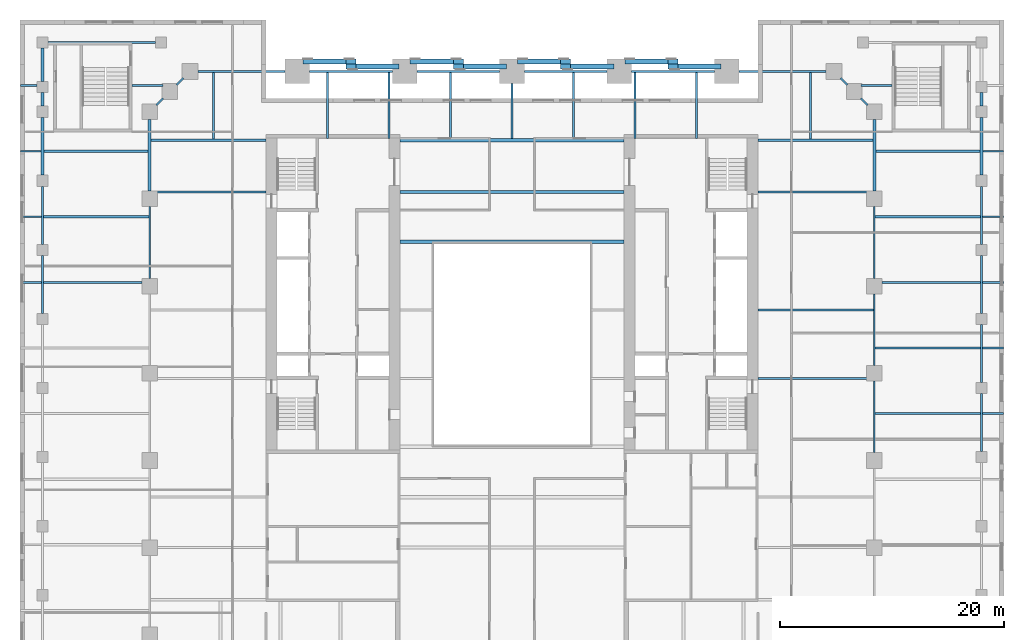
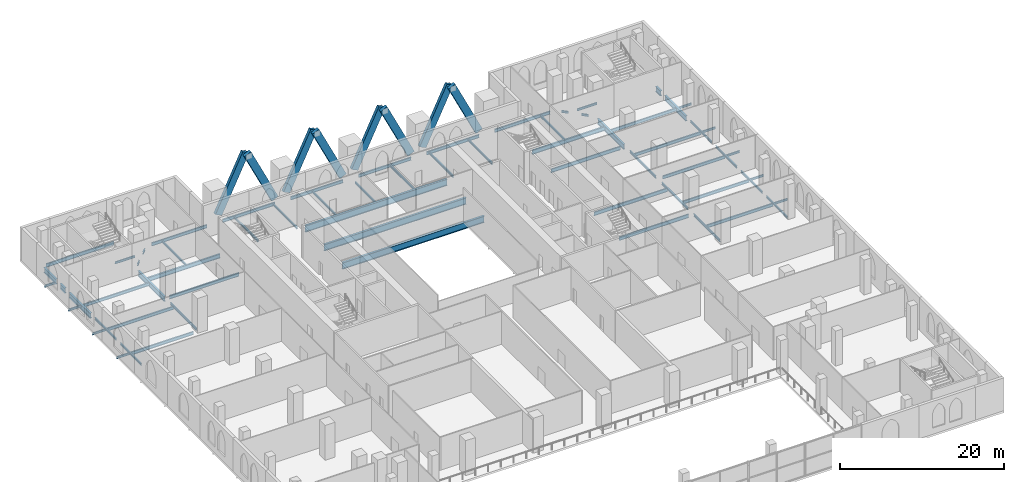
# One storey, part 6 of 22: 65 beams, 8 members.
"""IFC4 building model written with IfcOpenShell, lengths in metres."""

from ifc_helpers import new_model, si_unit, direction, frame, origin, origin_2d, place, context, subcontext, project, spatial, rectangle, i_section, extrude, material, material_profile, profile_set, type_object, element, save


model = new_model("IFC4")

# Units and contexts
model_context = context("Model", 3, precision=1e-05, world=origin(), true_north=direction((0.0, 1.0)))
body_context = subcontext(model_context, "Body", "Model", "MODEL_VIEW")
ifc_project = project(units=[si_unit("LENGTHUNIT", "METRE"), si_unit("AREAUNIT", "SQUARE_METRE"), si_unit("VOLUMEUNIT", "CUBIC_METRE"), si_unit("PLANEANGLEUNIT", "RADIAN"), si_unit("MASSUNIT", "GRAM", prefix="KILO")], contexts=[model_context])

# Site, building, storey
site_placement = place(None, origin())
site = spatial("IfcSite", under=ifc_project, at=site_placement, CompositionType="ELEMENT")
building_placement = place(site_placement, origin())
building = spatial("IfcBuilding", under=site, at=building_placement, Name="Ogive Exchange Tower", CompositionType="ELEMENT")
storey_placement = place(building_placement, frame((0.0, 0.0, 14.0)))
storey = spatial("IfcBuildingStorey", under=building, at=storey_placement, Name="L02", CompositionType="ELEMENT", Elevation=14.0)

# Beams
ifc_material_1 = material(Name="Steel ASTM A992 Gr50", Category="steel")
ifc_material_profile_1 = material_profile(ifc_material_1, i_section(OverallWidth=0.300048828125, OverallDepth=0.969970703125, WebThickness=0.01611328125, FlangeThickness=0.02099609375, at=origin_2d()), Name="W1000x222")
ifc_profile_set_1 = profile_set([ifc_material_profile_1], Name="Steel ASTM A992 Gr50")
beam_type_1 = type_object("IfcBeamType", Name="Floor beam W1000x222", PredefinedType="JOIST", material=ifc_profile_set_1)
beam_1_placement = place(storey_placement, frame((-10.0, 20.62255859375, -0.784912109375), z_axis=(1.0, 0.0, 0.0), x_axis=(0.0, 1.0, 0.0)))
element("IfcBeam", 1, at=beam_1_placement, inside=storey, type_object=beam_type_1, Name="Floor beam", PredefinedType="JOIST", context=body_context, shape_type="SweptSolid", body=[
    extrude(i_section(OverallWidth=0.300048828125, OverallDepth=0.969970703125, WebThickness=0.01611328125, FlangeThickness=0.02099609375, at=origin_2d()), origin(), (0.0, 0.0, 1.0), 20.0),
])
ifc_material_profile_2 = material_profile(ifc_material_1, i_section(OverallWidth=0.1650390625, OverallDepth=0.31005859375, WebThickness=0.005859375, FlangeThickness=0.009765625, at=origin_2d()), Name="W310x38.7")
ifc_profile_set_2 = profile_set([ifc_material_profile_2], Name="Steel ASTM A992 Gr50")
beam_type_2 = type_object("IfcBeamType", Name="Floor beam W310x38.7", PredefinedType="JOIST", material=ifc_profile_set_2)
for number, where, z_axis, x_axis, name in (
    (2, (-16.5, 25.39990234375, -0.455078125), (0.0, 1.0, 0.0), (-1.0, 0.0, 0.0), "Floor beam"),
    (3, (-11.0, 25.39990234375, -0.455078125), (0.0, 1.0, 0.0), (-1.0, 0.0, 0.0), "Floor beam"),
):
    element("IfcBeam", number, at=place(storey_placement, frame(where, z_axis=z_axis, x_axis=x_axis)), inside=storey, type_object=beam_type_2, Name=name, PredefinedType="JOIST", context=body_context, shape_type="SweptSolid", body=[
        extrude(i_section(OverallWidth=0.1650390625, OverallDepth=0.31005859375, WebThickness=0.005859375, FlangeThickness=0.009765625, at=origin_2d()), origin(), (0.0, 0.0, 1.0), 5.904541015625),
    ])
beam_2_placement = place(storey_placement, frame((-5.5, 25.39501953125, -0.455078125), z_axis=(0.0, 1.0, 0.0), x_axis=(-1.0, 0.0, 0.0)))
element("IfcBeam", 4, at=beam_2_placement, inside=storey, type_object=beam_type_2, Name="Floor beam", PredefinedType="JOIST", context=body_context, shape_type="SweptSolid", body=[
    extrude(i_section(OverallWidth=0.1650390625, OverallDepth=0.31005859375, WebThickness=0.005859375, FlangeThickness=0.009765625, at=origin_2d()), origin(), (0.0, 0.0, 1.0), 5.909423828125),
])
beam_3_placement = place(storey_placement, frame((0.0, 25.39501953125, -0.455078125), z_axis=(0.0, 1.0, 0.0), x_axis=(-1.0, 0.0, 0.0)))
element("IfcBeam", 5, at=beam_3_placement, inside=storey, type_object=beam_type_2, Name="Floor beam", PredefinedType="JOIST", context=body_context, shape_type="SweptSolid", body=[
    extrude(i_section(OverallWidth=0.1650390625, OverallDepth=0.31005859375, WebThickness=0.005859375, FlangeThickness=0.009765625, at=origin_2d()), origin(), (0.0, 0.0, 1.0), 4.905029296875),
])
beam_4_placement = place(storey_placement, frame((5.5, 25.39501953125, -0.455078125), z_axis=(0.0, 1.0, 0.0), x_axis=(-1.0, 0.0, 0.0)))
element("IfcBeam", 6, at=beam_4_placement, inside=storey, type_object=beam_type_2, Name="Floor beam", PredefinedType="JOIST", context=body_context, shape_type="SweptSolid", body=[
    extrude(i_section(OverallWidth=0.1650390625, OverallDepth=0.31005859375, WebThickness=0.005859375, FlangeThickness=0.009765625, at=origin_2d()), origin(), (0.0, 0.0, 1.0), 5.909423828125),
])
for number, where, z_axis, x_axis, name in (
    (7, (11.0, 25.39990234375, -0.455078125), (0.0, 1.0, 0.0), (-1.0, 0.0, 0.0), "Floor beam"),
    (8, (16.5, 25.39990234375, -0.455078125), (0.0, 1.0, 0.0), (-1.0, 0.0, 0.0), "Floor beam"),
):
    element("IfcBeam", number, at=place(storey_placement, frame(where, z_axis=z_axis, x_axis=x_axis)), inside=storey, type_object=beam_type_2, Name=name, PredefinedType="JOIST", context=body_context, shape_type="SweptSolid", body=[
        extrude(i_section(OverallWidth=0.1650390625, OverallDepth=0.31005859375, WebThickness=0.005859375, FlangeThickness=0.009765625, at=origin_2d()), origin(), (0.0, 0.0, 1.0), 5.904541015625),
    ])
for number, where, z_axis, x_axis, name in (
    (9, (26.699951171875, 25.35888671875, -0.455078125), (0.0, 1.0, 0.0), (-1.0, 0.0, 0.0), "Floor beam"),
    (10, (-26.699951171875, 25.35888671875, -0.455078125), (0.0, 1.0, 0.0), (-1.0, 0.0, 0.0), "Floor beam"),
):
    element("IfcBeam", number, at=place(storey_placement, frame(where, z_axis=z_axis, x_axis=x_axis)), inside=storey, type_object=beam_type_2, Name=name, PredefinedType="JOIST", context=body_context, shape_type="SweptSolid", body=[
        extrude(i_section(OverallWidth=0.1650390625, OverallDepth=0.31005859375, WebThickness=0.005859375, FlangeThickness=0.009765625, at=origin_2d()), origin(), (0.0, 0.0, 1.0), 5.945556640625),
    ])
for number, where, z_axis, x_axis, name in (
    (11, (42.08251953125, 0.800048828125, -0.455078125), (1.0, 0.0, 0.0), (0.0, 1.0, 0.0), "Floor beam"),
    (12, (42.08251953125, 6.666748046875, -0.455078125), (1.0, 0.0, 0.0), (0.0, 1.0, 0.0), "Floor beam"),
    (13, (42.08251953125, 12.533203125, -0.455078125), (1.0, 0.0, 0.0), (0.0, 1.0, 0.0), "Floor beam"),
    (14, (42.08251953125, 18.39990234375, -0.455078125), (1.0, 0.0, 0.0), (0.0, 1.0, 0.0), "Floor beam"),
):
    element("IfcBeam", number, at=place(storey_placement, frame(where, z_axis=z_axis, x_axis=x_axis)), inside=storey, type_object=beam_type_2, Name=name, PredefinedType="JOIST", context=body_context, shape_type="SweptSolid", body=[
        extrude(i_section(OverallWidth=0.1650390625, OverallDepth=0.31005859375, WebThickness=0.005859375, FlangeThickness=0.009765625, at=origin_2d()), origin(), (0.0, 0.0, 1.0), 1.867431640625),
    ])
beam_5_placement = place(storey_placement, frame((42.133544921875, 24.2666015625, -0.455078125), z_axis=(1.0, 0.0, 0.0), x_axis=(0.0, 1.0, 0.0)))
element("IfcBeam", 15, at=beam_5_placement, inside=storey, type_object=beam_type_2, Name="Floor beam", PredefinedType="JOIST", context=body_context, shape_type="SweptSolid", body=[
    extrude(i_section(OverallWidth=0.1650390625, OverallDepth=0.31005859375, WebThickness=0.005859375, FlangeThickness=0.009765625, at=origin_2d()), origin(), (0.0, 0.0, 1.0), 1.81640625),
])
beam_6_placement = place(storey_placement, frame((31.199951171875, 30.13330078125, -0.455078125), z_axis=(1.0, 0.0, 0.0), x_axis=(0.0, 1.0, 0.0)))
element("IfcBeam", 16, at=beam_6_placement, inside=storey, type_object=beam_type_2, Name="Floor beam", PredefinedType="JOIST", context=body_context, shape_type="SweptSolid", body=[
    extrude(i_section(OverallWidth=0.1650390625, OverallDepth=0.31005859375, WebThickness=0.005859375, FlangeThickness=0.009765625, at=origin_2d()), origin(), (0.0, 0.0, 1.0), 2.800048828125),
])
for number, where, z_axis, x_axis, name in (
    (17, (-43.949951171875, 12.533203125, -0.455078125), (1.0, 0.0, 0.0), (0.0, 1.0, 0.0), "Floor beam"),
    (18, (-43.949951171875, 18.39990234375, -0.455078125), (1.0, 0.0, 0.0), (0.0, 1.0, 0.0), "Floor beam"),
):
    element("IfcBeam", number, at=place(storey_placement, frame(where, z_axis=z_axis, x_axis=x_axis)), inside=storey, type_object=beam_type_2, Name=name, PredefinedType="JOIST", context=body_context, shape_type="SweptSolid", body=[
        extrude(i_section(OverallWidth=0.1650390625, OverallDepth=0.31005859375, WebThickness=0.005859375, FlangeThickness=0.009765625, at=origin_2d()), origin(), (0.0, 0.0, 1.0), 1.867431640625),
    ])
beam_7_placement = place(storey_placement, frame((-43.949951171875, 24.2666015625, -0.455078125), z_axis=(1.0, 0.0, 0.0), x_axis=(0.0, 1.0, 0.0)))
element("IfcBeam", 19, at=beam_7_placement, inside=storey, type_object=beam_type_2, Name="Floor beam", PredefinedType="JOIST", context=body_context, shape_type="SweptSolid", body=[
    extrude(i_section(OverallWidth=0.1650390625, OverallDepth=0.31005859375, WebThickness=0.005859375, FlangeThickness=0.009765625, at=origin_2d()), origin(), (0.0, 0.0, 1.0), 1.81640625),
])
beam_8_placement = place(storey_placement, frame((-43.949951171875, 30.13330078125, -0.455078125), z_axis=(1.0, 0.0, 0.0), x_axis=(0.0, 1.0, 0.0)))
element("IfcBeam", 20, at=beam_8_placement, inside=storey, type_object=beam_type_2, Name="Floor beam", PredefinedType="JOIST", context=body_context, shape_type="SweptSolid", body=[
    extrude(i_section(OverallWidth=0.1650390625, OverallDepth=0.31005859375, WebThickness=0.005859375, FlangeThickness=0.009765625, at=origin_2d()), origin(), (0.0, 0.0, 1.0), 1.449951171875),
])
beam_9_placement = place(storey_placement, frame((-34.0, 30.13330078125, -0.455078125), z_axis=(1.0, 0.0, 0.0), x_axis=(0.0, 1.0, 0.0)))
element("IfcBeam", 21, at=beam_9_placement, inside=storey, type_object=beam_type_2, Name="Floor beam", PredefinedType="JOIST", context=body_context, shape_type="SweptSolid", body=[
    extrude(i_section(OverallWidth=0.1650390625, OverallDepth=0.31005859375, WebThickness=0.005859375, FlangeThickness=0.009765625, at=origin_2d()), origin(), (0.0, 0.0, 1.0), 2.800048828125),
])
ifc_material_profile_3 = material_profile(ifc_material_1, i_section(OverallWidth=0.19091796875, OverallDepth=0.45703125, WebThickness=0.009033203125, FlangeThickness=0.014404296875, at=origin_2d()), Name="W460x74")
ifc_profile_set_3 = profile_set([ifc_material_profile_3], Name="Steel ASTM A992 Gr50")
beam_type_3 = type_object("IfcBeamType", Name="Floor beam W460x74", PredefinedType="JOIST", material=ifc_profile_set_3)
for number, where, z_axis, x_axis, name in (
    (22, (32.485595703125, 0.800048828125, -0.528564453125), (1.0, 0.0, 0.0), (0.0, 1.0, 0.0), "Floor beam"),
    (23, (32.485595703125, 6.666748046875, -0.528564453125), (1.0, 0.0, 0.0), (0.0, 1.0, 0.0), "Floor beam"),
):
    element("IfcBeam", number, at=place(storey_placement, frame(where, z_axis=z_axis, x_axis=x_axis)), inside=storey, type_object=beam_type_3, Name=name, PredefinedType="JOIST", context=body_context, shape_type="SweptSolid", body=[
        extrude(i_section(OverallWidth=0.19091796875, OverallDepth=0.45703125, WebThickness=0.009033203125, FlangeThickness=0.014404296875, at=origin_2d()), origin(), (0.0, 0.0, 1.0), 9.431884765625),
    ])
beam_10_placement = place(storey_placement, frame((33.10009765625, 12.533203125, -0.528564453125), z_axis=(1.0, 0.0, 0.0), x_axis=(0.0, 1.0, 0.0)))
element("IfcBeam", 24, at=beam_10_placement, inside=storey, type_object=beam_type_3, Name="Floor beam", PredefinedType="JOIST", context=body_context, shape_type="SweptSolid", body=[
    extrude(i_section(OverallWidth=0.19091796875, OverallDepth=0.45703125, WebThickness=0.009033203125, FlangeThickness=0.014404296875, at=origin_2d()), origin(), (0.0, 0.0, 1.0), 8.8173828125),
])
beam_11_placement = place(storey_placement, frame((32.485595703125, 18.39990234375, -0.528564453125), z_axis=(1.0, 0.0, 0.0), x_axis=(0.0, 1.0, 0.0)))
element("IfcBeam", 25, at=beam_11_placement, inside=storey, type_object=beam_type_3, Name="Floor beam", PredefinedType="JOIST", context=body_context, shape_type="SweptSolid", body=[
    extrude(i_section(OverallWidth=0.19091796875, OverallDepth=0.45703125, WebThickness=0.009033203125, FlangeThickness=0.014404296875, at=origin_2d()), origin(), (0.0, 0.0, 1.0), 9.431884765625),
])
beam_12_placement = place(storey_placement, frame((32.533447265625, 24.2666015625, -0.528564453125), z_axis=(1.0, 0.0, 0.0), x_axis=(0.0, 1.0, 0.0)))
element("IfcBeam", 26, at=beam_12_placement, inside=storey, type_object=beam_type_3, Name="Floor beam", PredefinedType="JOIST", context=body_context, shape_type="SweptSolid", body=[
    extrude(i_section(OverallWidth=0.19091796875, OverallDepth=0.45703125, WebThickness=0.009033203125, FlangeThickness=0.014404296875, at=origin_2d()), origin(), (0.0, 0.0, 1.0), 9.3330078125),
])
beam_13_placement = place(storey_placement, frame((-41.91748046875, 12.533203125, -0.528564453125), z_axis=(1.0, 0.0, 0.0), x_axis=(0.0, 1.0, 0.0)))
element("IfcBeam", 27, at=beam_13_placement, inside=storey, type_object=beam_type_3, Name="Floor beam", PredefinedType="JOIST", context=body_context, shape_type="SweptSolid", body=[
    extrude(i_section(OverallWidth=0.19091796875, OverallDepth=0.45703125, WebThickness=0.009033203125, FlangeThickness=0.014404296875, at=origin_2d()), origin(), (0.0, 0.0, 1.0), 8.8173828125),
])
beam_14_placement = place(storey_placement, frame((-41.91748046875, 18.39990234375, -0.528564453125), z_axis=(1.0, 0.0, 0.0), x_axis=(0.0, 1.0, 0.0)))
element("IfcBeam", 28, at=beam_14_placement, inside=storey, type_object=beam_type_3, Name="Floor beam", PredefinedType="JOIST", context=body_context, shape_type="SweptSolid", body=[
    extrude(i_section(OverallWidth=0.19091796875, OverallDepth=0.45703125, WebThickness=0.009033203125, FlangeThickness=0.014404296875, at=origin_2d()), origin(), (0.0, 0.0, 1.0), 9.431884765625),
])
beam_15_placement = place(storey_placement, frame((-41.866455078125, 24.2666015625, -0.528564453125), z_axis=(1.0, 0.0, 0.0), x_axis=(0.0, 1.0, 0.0)))
element("IfcBeam", 29, at=beam_15_placement, inside=storey, type_object=beam_type_3, Name="Floor beam", PredefinedType="JOIST", context=body_context, shape_type="SweptSolid", body=[
    extrude(i_section(OverallWidth=0.19091796875, OverallDepth=0.45703125, WebThickness=0.009033203125, FlangeThickness=0.014404296875, at=origin_2d()), origin(), (0.0, 0.0, 1.0), 9.3330078125),
])
ifc_material_profile_4 = material_profile(ifc_material_1, i_section(OverallWidth=0.1669921875, OverallDepth=0.535888671875, WebThickness=0.01025390625, FlangeThickness=0.0166015625, at=origin_2d()), Name="W530x85")
ifc_profile_set_4 = profile_set([ifc_material_profile_4], Name="Steel ASTM A992 Gr50")
beam_type_4 = type_object("IfcBeamType", Name="Floor beam W530x85", PredefinedType="JOIST", material=ifc_profile_set_4)
beam_16_placement = place(storey_placement, frame((22.0, 3.9482421875, -0.568115234375), z_axis=(1.0, 0.0, 0.0), x_axis=(0.0, 1.0, 0.0)))
element("IfcBeam", 30, at=beam_16_placement, inside=storey, type_object=beam_type_4, Name="Floor beam", PredefinedType="JOIST", context=body_context, shape_type="SweptSolid", body=[
    extrude(i_section(OverallWidth=0.1669921875, OverallDepth=0.535888671875, WebThickness=0.01025390625, FlangeThickness=0.0166015625, at=origin_2d()), origin(), (0.0, 0.0, 1.0), 9.800048828125),
])
beam_17_placement = place(storey_placement, frame((22.0, 10.0517578125, -0.568115234375), z_axis=(1.0, 0.0, 0.0), x_axis=(0.0, 1.0, 0.0)))
element("IfcBeam", 31, at=beam_17_placement, inside=storey, type_object=beam_type_4, Name="Floor beam", PredefinedType="JOIST", context=body_context, shape_type="SweptSolid", body=[
    extrude(i_section(OverallWidth=0.1669921875, OverallDepth=0.535888671875, WebThickness=0.01025390625, FlangeThickness=0.0166015625, at=origin_2d()), origin(), (0.0, 0.0, 1.0), 10.344970703125),
])
for number, where, z_axis, x_axis, name in (
    (32, (-31.800048828125, 20.62255859375, -0.568115234375), (1.0, 0.0, 0.0), (0.0, 1.0, 0.0), "Floor beam"),
    (33, (22.0, 20.62255859375, -0.568115234375), (1.0, 0.0, 0.0), (0.0, 1.0, 0.0), "Floor beam"),
):
    element("IfcBeam", number, at=place(storey_placement, frame(where, z_axis=z_axis, x_axis=x_axis)), inside=storey, type_object=beam_type_4, Name=name, PredefinedType="JOIST", context=body_context, shape_type="SweptSolid", body=[
        extrude(i_section(OverallWidth=0.1669921875, OverallDepth=0.535888671875, WebThickness=0.01025390625, FlangeThickness=0.0166015625, at=origin_2d()), origin(), (0.0, 0.0, 1.0), 9.800048828125),
    ])
ifc_material_profile_5 = material_profile(ifc_material_1, i_section(OverallWidth=0.300048828125, OverallDepth=0.97998046875, WebThickness=0.0166015625, FlangeThickness=0.026123046875, at=origin_2d()), Name="W1000x249")
ifc_profile_set_5 = profile_set([ifc_material_profile_5], Name="Steel ASTM A992 Gr50")
beam_type_5 = type_object("IfcBeamType", Name="Girder W1000x249", PredefinedType="BEAM", material=ifc_profile_set_5)
for number, where, z_axis, x_axis, name in (
    (34, (-10.0, 25.2451171875, -0.7900390625), (1.0, 0.0, 0.0), (0.0, 1.0, 0.0), "Header girder"),
    (35, (-10.0, 16.155029296875, -0.7900390625), (1.0, 0.0, 0.0), (0.0, 1.0, 0.0), "Trimmer girder"),
):
    element("IfcBeam", number, at=place(storey_placement, frame(where, z_axis=z_axis, x_axis=x_axis)), inside=storey, type_object=beam_type_5, Name=name, PredefinedType="BEAM", context=body_context, shape_type="SweptSolid", body=[
        extrude(i_section(OverallWidth=0.300048828125, OverallDepth=0.97998046875, WebThickness=0.0166015625, FlangeThickness=0.026123046875, at=origin_2d()), origin(), (0.0, 0.0, 1.0), 20.0),
    ])
ifc_material_profile_6 = material_profile(ifc_material_1, i_section(OverallWidth=0.1650390625, OverallDepth=0.31005859375, WebThickness=0.005859375, FlangeThickness=0.009765625, at=origin_2d()), Name="W310x38.7")
ifc_profile_set_6 = profile_set([ifc_material_profile_6], Name="Steel ASTM A992 Gr50")
beam_type_6 = type_object("IfcBeamType", Name="Girder W310x38.7", PredefinedType="BEAM", material=ifc_profile_set_6)
for number, where, z_axis, x_axis, name in (
    (36, (31.805908203125, 28.39404296875, -0.455078125), (-0.706965712506, 0.707247821729, 0.0), (-0.707247821729, -0.706965712506, 0.0), "Girder"),
    (37, (30.006103515625, 30.194091796875, -0.455078125), (-0.707247821729, 0.706965712506, 0.0), (-0.706965712506, -0.707247821729, 0.0), "Girder"),
    (38, (-29.39404296875, 30.805908203125, -0.455078125), (-0.707247821729, -0.706965712506, 0.0), (0.706965712506, -0.707247821729, 0.0), "Girder"),
    (39, (-31.194091796875, 29.006103515625, -0.455078125), (-0.706965712506, -0.707247821729, 0.0), (0.707247821729, -0.706965712506, 0.0), "Girder"),
):
    element("IfcBeam", number, at=place(storey_placement, frame(where, z_axis=z_axis, x_axis=x_axis)), inside=storey, type_object=beam_type_6, Name=name, PredefinedType="BEAM", context=body_context, shape_type="SweptSolid", body=[
        extrude(i_section(OverallWidth=0.1650390625, OverallDepth=0.31005859375, WebThickness=0.005859375, FlangeThickness=0.009765625, at=origin_2d()), origin(), (0.0, 0.0, 1.0), 0.865478515625),
    ])
beam_18_placement = place(storey_placement, frame((42.0, -2.590087890625, -0.455078125), z_axis=(0.0, 1.0, 0.0), x_axis=(-1.0, 0.0, 0.0)))
element("IfcBeam", 40, at=beam_18_placement, inside=storey, type_object=beam_type_6, Name="Girder", PredefinedType="BEAM", context=body_context, shape_type="SweptSolid", body=[
    extrude(i_section(OverallWidth=0.1650390625, OverallDepth=0.31005859375, WebThickness=0.005859375, FlangeThickness=0.009765625, at=origin_2d()), origin(), (0.0, 0.0, 1.0), 5.18017578125),
])
beam_19_placement = place(storey_placement, frame((42.0, 3.590087890625, -0.455078125), z_axis=(0.0, 1.0, 0.0), x_axis=(-1.0, 0.0, 0.0)))
element("IfcBeam", 41, at=beam_19_placement, inside=storey, type_object=beam_type_6, Name="Girder", PredefinedType="BEAM", context=body_context, shape_type="SweptSolid", body=[
    extrude(i_section(OverallWidth=0.1650390625, OverallDepth=0.31005859375, WebThickness=0.005859375, FlangeThickness=0.009765625, at=origin_2d()), origin(), (0.0, 0.0, 1.0), 5.179931640625),
])
beam_20_placement = place(storey_placement, frame((42.0, 9.77001953125, -0.455078125), z_axis=(0.0, 1.0, 0.0), x_axis=(-1.0, 0.0, 0.0)))
element("IfcBeam", 42, at=beam_20_placement, inside=storey, type_object=beam_type_6, Name="Girder", PredefinedType="BEAM", context=body_context, shape_type="SweptSolid", body=[
    extrude(i_section(OverallWidth=0.1650390625, OverallDepth=0.31005859375, WebThickness=0.005859375, FlangeThickness=0.009765625, at=origin_2d()), origin(), (0.0, 0.0, 1.0), 5.169921875),
])
beam_21_placement = place(storey_placement, frame((42.0, 15.93994140625, -0.455078125), z_axis=(0.0, 1.0, 0.0), x_axis=(-1.0, 0.0, 0.0)))
element("IfcBeam", 43, at=beam_21_placement, inside=storey, type_object=beam_type_6, Name="Girder", PredefinedType="BEAM", context=body_context, shape_type="SweptSolid", body=[
    extrude(i_section(OverallWidth=0.1650390625, OverallDepth=0.31005859375, WebThickness=0.005859375, FlangeThickness=0.009765625, at=origin_2d()), origin(), (0.0, 0.0, 1.0), 5.18017578125),
])
beam_22_placement = place(storey_placement, frame((-42.0, 9.77001953125, -0.455078125), z_axis=(0.0, 1.0, 0.0), x_axis=(-1.0, 0.0, 0.0)))
element("IfcBeam", 44, at=beam_22_placement, inside=storey, type_object=beam_type_6, Name="Girder", PredefinedType="BEAM", context=body_context, shape_type="SweptSolid", body=[
    extrude(i_section(OverallWidth=0.1650390625, OverallDepth=0.31005859375, WebThickness=0.005859375, FlangeThickness=0.009765625, at=origin_2d()), origin(), (0.0, 0.0, 1.0), 5.169921875),
])
beam_23_placement = place(storey_placement, frame((-42.0, 15.93994140625, -0.455078125), z_axis=(0.0, 1.0, 0.0), x_axis=(-1.0, 0.0, 0.0)))
element("IfcBeam", 45, at=beam_23_placement, inside=storey, type_object=beam_type_6, Name="Girder", PredefinedType="BEAM", context=body_context, shape_type="SweptSolid", body=[
    extrude(i_section(OverallWidth=0.1650390625, OverallDepth=0.31005859375, WebThickness=0.005859375, FlangeThickness=0.009765625, at=origin_2d()), origin(), (0.0, 0.0, 1.0), 5.18017578125),
])
ifc_material_profile_7 = material_profile(ifc_material_1, i_section(OverallWidth=0.1708984375, OverallDepth=0.35595703125, WebThickness=0.00732421875, FlangeThickness=0.01171875, at=origin_2d()), Name="W360x51")
ifc_profile_set_7 = profile_set([ifc_material_profile_7], Name="Steel ASTM A992 Gr50")
beam_type_7 = type_object("IfcBeamType", Name="Girder W360x51", PredefinedType="BEAM", material=ifc_profile_set_7)
beam_24_placement = place(storey_placement, frame((32.39990234375, 5.10009765625, -0.47802734375), z_axis=(0.0, 1.0, 0.0), x_axis=(-1.0, 0.0, 0.0)))
element("IfcBeam", 46, at=beam_24_placement, inside=storey, type_object=beam_type_7, Name="Girder", PredefinedType="BEAM", context=body_context, shape_type="SweptSolid", body=[
    extrude(i_section(OverallWidth=0.1708984375, OverallDepth=0.35595703125, WebThickness=0.00732421875, FlangeThickness=0.01171875, at=origin_2d()), origin(), (0.0, 0.0, 1.0), 6.39990234375),
])
for number, where, z_axis, x_axis, name in (
    (47, (32.39990234375, 12.89990234375, -0.47802734375), (0.0, 1.0, 0.0), (-1.0, 0.0, 0.0), "Girder"),
    (48, (-32.39990234375, 19.300048828125, -0.47802734375), (0.0, -1.0, 0.0), (1.0, 0.0, 0.0), "Girder"),
):
    element("IfcBeam", number, at=place(storey_placement, frame(where, z_axis=z_axis, x_axis=x_axis)), inside=storey, type_object=beam_type_7, Name=name, PredefinedType="BEAM", context=body_context, shape_type="SweptSolid", body=[
        extrude(i_section(OverallWidth=0.1708984375, OverallDepth=0.35595703125, WebThickness=0.00732421875, FlangeThickness=0.01171875, at=origin_2d()), origin(), (0.0, 0.0, 1.0), 6.400146484375),
    ])
beam_25_placement = place(storey_placement, frame((32.39990234375, -2.699951171875, -0.47802734375), z_axis=(0.0, 1.0, 0.0), x_axis=(-1.0, 0.0, 0.0)))
element("IfcBeam", 49, at=beam_25_placement, inside=storey, type_object=beam_type_7, Name="Girder", PredefinedType="BEAM", context=body_context, shape_type="SweptSolid", body=[
    extrude(i_section(OverallWidth=0.1708984375, OverallDepth=0.35595703125, WebThickness=0.00732421875, FlangeThickness=0.01171875, at=origin_2d()), origin(), (0.0, 0.0, 1.0), 6.39990234375),
])
ifc_material_profile_8 = material_profile(ifc_material_1, i_section(OverallWidth=0.19091796875, OverallDepth=0.45703125, WebThickness=0.009033203125, FlangeThickness=0.014404296875, at=origin_2d()), Name="W460x74")
ifc_profile_set_8 = profile_set([ifc_material_profile_8], Name="Steel ASTM A992 Gr50")
beam_type_8 = type_object("IfcBeamType", Name="Girder W460x74", PredefinedType="BEAM", material=ifc_profile_set_8)
beam_26_placement = place(storey_placement, frame((28.10009765625, 31.39990234375, -0.528564453125), z_axis=(-1.0, 0.0, 0.0), x_axis=(0.0, -1.0, 0.0)))
element("IfcBeam", 50, at=beam_26_placement, inside=storey, type_object=beam_type_8, Name="Girder", PredefinedType="BEAM", context=body_context, shape_type="SweptSolid", body=[
    extrude(i_section(OverallWidth=0.19091796875, OverallDepth=0.45703125, WebThickness=0.009033203125, FlangeThickness=0.014404296875, at=origin_2d()), origin(), (0.0, 0.0, 1.0), 7.800048828125),
])
beam_27_placement = place(storey_placement, frame((18.10009765625, 31.39990234375, -0.528564453125), z_axis=(-1.0, 0.0, 0.0), x_axis=(0.0, -1.0, 0.0)))
element("IfcBeam", 51, at=beam_27_placement, inside=storey, type_object=beam_type_8, Name="Girder", PredefinedType="BEAM", context=body_context, shape_type="SweptSolid", body=[
    extrude(i_section(OverallWidth=0.19091796875, OverallDepth=0.45703125, WebThickness=0.009033203125, FlangeThickness=0.014404296875, at=origin_2d()), origin(), (0.0, 0.0, 1.0), 7.400146484375),
])
for number, where, z_axis, x_axis, name in (
    (52, (8.5, 31.39990234375, -0.528564453125), (-1.0, 0.0, 0.0), (0.0, -1.0, 0.0), "Girder"),
    (53, (-1.10009765625, 31.39990234375, -0.528564453125), (-1.0, 0.0, 0.0), (0.0, -1.0, 0.0), "Girder"),
):
    element("IfcBeam", number, at=place(storey_placement, frame(where, z_axis=z_axis, x_axis=x_axis)), inside=storey, type_object=beam_type_8, Name=name, PredefinedType="BEAM", context=body_context, shape_type="SweptSolid", body=[
        extrude(i_section(OverallWidth=0.19091796875, OverallDepth=0.45703125, WebThickness=0.009033203125, FlangeThickness=0.014404296875, at=origin_2d()), origin(), (0.0, 0.0, 1.0), 7.39990234375),
    ])
beam_28_placement = place(storey_placement, frame((-10.699951171875, 31.39990234375, -0.528564453125), z_axis=(-1.0, 0.0, 0.0), x_axis=(0.0, -1.0, 0.0)))
element("IfcBeam", 54, at=beam_28_placement, inside=storey, type_object=beam_type_8, Name="Girder", PredefinedType="BEAM", context=body_context, shape_type="SweptSolid", body=[
    extrude(i_section(OverallWidth=0.19091796875, OverallDepth=0.45703125, WebThickness=0.009033203125, FlangeThickness=0.014404296875, at=origin_2d()), origin(), (0.0, 0.0, 1.0), 7.400146484375),
])
beam_29_placement = place(storey_placement, frame((-20.300048828125, 31.39990234375, -0.528564453125), z_axis=(-1.0, 0.0, 0.0), x_axis=(0.0, -1.0, 0.0)))
element("IfcBeam", 55, at=beam_29_placement, inside=storey, type_object=beam_type_8, Name="Girder", PredefinedType="BEAM", context=body_context, shape_type="SweptSolid", body=[
    extrude(i_section(OverallWidth=0.19091796875, OverallDepth=0.45703125, WebThickness=0.009033203125, FlangeThickness=0.014404296875, at=origin_2d()), origin(), (0.0, 0.0, 1.0), 7.800048828125),
])
ifc_material_profile_9 = material_profile(ifc_material_1, i_section(OverallWidth=0.1669921875, OverallDepth=0.535888671875, WebThickness=0.01025390625, FlangeThickness=0.0166015625, at=origin_2d()), Name="W530x85")
ifc_profile_set_9 = profile_set([ifc_material_profile_9], Name="Steel ASTM A992 Gr50")
beam_type_9 = type_object("IfcBeamType", Name="Girder W530x85", PredefinedType="BEAM", material=ifc_profile_set_9)
beam_30_placement = place(storey_placement, frame((-41.5, 34.0, -0.568115234375), z_axis=(1.0, 0.0, 0.0), x_axis=(0.0, 1.0, 0.0)))
element("IfcBeam", 56, at=beam_30_placement, inside=storey, type_object=beam_type_9, Name="Girder", PredefinedType="BEAM", context=body_context, shape_type="SweptSolid", body=[
    extrude(i_section(OverallWidth=0.1669921875, OverallDepth=0.535888671875, WebThickness=0.01025390625, FlangeThickness=0.0166015625, at=origin_2d()), origin(), (0.0, 0.0, 1.0), 9.60009765625),
])
ifc_material_profile_10 = material_profile(ifc_material_1, i_section(OverallWidth=0.22802734375, OverallDepth=0.60205078125, WebThickness=0.010498046875, FlangeThickness=0.014892578125, at=origin_2d()), Name="W610x101")
ifc_profile_set_10 = profile_set([ifc_material_profile_10], Name="Steel ASTM A992 Gr50")
beam_type_10 = type_object("IfcBeamType", Name="Girder W610x101", PredefinedType="BEAM", material=ifc_profile_set_10)
for number, where, z_axis, x_axis, name in (
    (57, (22.0, 25.2451171875, -0.60107421875), (1.0, 0.0, 0.0), (0.0, 1.0, 0.0), "Header girder"),
    (58, (-22.0, 25.2451171875, -0.60107421875), (-1.0, 0.0, 0.0), (0.0, -1.0, 0.0), "Header girder"),
):
    element("IfcBeam", number, at=place(storey_placement, frame(where, z_axis=z_axis, x_axis=x_axis)), inside=storey, type_object=beam_type_10, Name=name, PredefinedType="BEAM", context=body_context, shape_type="SweptSolid", body=[
        extrude(i_section(OverallWidth=0.22802734375, OverallDepth=0.60205078125, WebThickness=0.010498046875, FlangeThickness=0.014892578125, at=origin_2d()), origin(), (0.0, 0.0, 1.0), 10.344970703125),
    ])
ifc_material_profile_11 = material_profile(ifc_material_1, i_section(OverallWidth=0.26708984375, OverallDepth=0.75390625, WebThickness=0.01318359375, FlangeThickness=0.01708984375, at=origin_2d()), Name="W760x147")
ifc_profile_set_11 = profile_set([ifc_material_profile_11], Name="Steel ASTM A992 Gr50")
beam_type_11 = type_object("IfcBeamType", Name="Girder W760x147", PredefinedType="BEAM", material=ifc_profile_set_11)
for number, where, z_axis, x_axis, name in (
    (59, (32.39990234375, 20.699951171875, -0.677001953125), (0.0, 1.0, 0.0), (-1.0, 0.0, 0.0), "Girder"),
    (60, (-32.39990234375, 27.10009765625, -0.677001953125), (0.0, -1.0, 0.0), (1.0, 0.0, 0.0), "Girder"),
):
    element("IfcBeam", number, at=place(storey_placement, frame(where, z_axis=z_axis, x_axis=x_axis)), inside=storey, type_object=beam_type_11, Name=name, PredefinedType="BEAM", context=body_context, shape_type="SweptSolid", body=[
        extrude(i_section(OverallWidth=0.26708984375, OverallDepth=0.75390625, WebThickness=0.01318359375, FlangeThickness=0.01708984375, at=origin_2d()), origin(), (0.0, 0.0, 1.0), 6.400146484375),
    ])
beam_31_placement = place(storey_placement, frame((42.0, 22.1201171875, -0.677001953125), z_axis=(0.0, 1.0, 0.0), x_axis=(-1.0, 0.0, 0.0)))
element("IfcBeam", 61, at=beam_31_placement, inside=storey, type_object=beam_type_11, Name="Girder", PredefinedType="BEAM", context=body_context, shape_type="SweptSolid", body=[
    extrude(i_section(OverallWidth=0.26708984375, OverallDepth=0.75390625, WebThickness=0.01318359375, FlangeThickness=0.01708984375, at=origin_2d()), origin(), (0.0, 0.0, 1.0), 5.179931640625),
])
beam_32_placement = place(storey_placement, frame((42.0, 28.300048828125, -0.677001953125), z_axis=(0.0, 1.0, 0.0), x_axis=(-1.0, 0.0, 0.0)))
element("IfcBeam", 62, at=beam_32_placement, inside=storey, type_object=beam_type_11, Name="Girder", PredefinedType="BEAM", context=body_context, shape_type="SweptSolid", body=[
    extrude(i_section(OverallWidth=0.26708984375, OverallDepth=0.75390625, WebThickness=0.01318359375, FlangeThickness=0.01708984375, at=origin_2d()), origin(), (0.0, 0.0, 1.0), 1.199951171875),
])
beam_33_placement = place(storey_placement, frame((-42.0, 22.1201171875, -0.677001953125), z_axis=(0.0, 1.0, 0.0), x_axis=(-1.0, 0.0, 0.0)))
element("IfcBeam", 63, at=beam_33_placement, inside=storey, type_object=beam_type_11, Name="Girder", PredefinedType="BEAM", context=body_context, shape_type="SweptSolid", body=[
    extrude(i_section(OverallWidth=0.26708984375, OverallDepth=0.75390625, WebThickness=0.01318359375, FlangeThickness=0.01708984375, at=origin_2d()), origin(), (0.0, 0.0, 1.0), 5.179931640625),
])
beam_34_placement = place(storey_placement, frame((-42.0, 28.300048828125, -0.677001953125), z_axis=(0.0, 1.0, 0.0), x_axis=(-1.0, 0.0, 0.0)))
element("IfcBeam", 64, at=beam_34_placement, inside=storey, type_object=beam_type_11, Name="Girder", PredefinedType="BEAM", context=body_context, shape_type="SweptSolid", body=[
    extrude(i_section(OverallWidth=0.26708984375, OverallDepth=0.75390625, WebThickness=0.01318359375, FlangeThickness=0.01708984375, at=origin_2d()), origin(), (0.0, 0.0, 1.0), 1.199951171875),
])
beam_35_placement = place(storey_placement, frame((-42.0, 30.5, -0.677001953125), z_axis=(0.0, 1.0, 0.0), x_axis=(-1.0, 0.0, 0.0)))
element("IfcBeam", 65, at=beam_35_placement, inside=storey, type_object=beam_type_11, Name="Girder", PredefinedType="BEAM", context=body_context, shape_type="SweptSolid", body=[
    extrude(i_section(OverallWidth=0.26708984375, OverallDepth=0.75390625, WebThickness=0.01318359375, FlangeThickness=0.01708984375, at=origin_2d()), origin(), (0.0, 0.0, 1.0), 3.0),
])

# Members
ifc_material_2 = material(Name="Precast concrete C70/85 (limestone faced)", Category="masonry")
ifc_material_profile_12 = material_profile(ifc_material_2, rectangle(XDim=0.449951171875, YDim=1.0, at=origin_2d()), Name="RIB 450 x 1000")
ifc_profile_set_12 = profile_set([ifc_material_profile_12], Name="Precast concrete C70/85 (limestone faced)")
member_type = type_object("IfcMemberType", Name="Precast arch rib 450 x 1000 C70/85", PredefinedType="BRACE", material=ifc_profile_set_12)
for number, where, z_axis, x_axis, name in (
    (66, (-18.25, 32.27490234375, 0.0), (0.433655212759, 0.0, 0.901078884697), (0.0, 1.0, 0.0), "Entrance arch 1 rib 1"),
    (67, (-10.550048828125, 31.824951171875, 0.0), (-0.433632884941, 0.0, 0.901089629891), (0.0, -1.0, 0.0), "Entrance arch 1 rib 2"),
    (68, (-8.64990234375, 32.27490234375, 0.0), (0.433632884941, 0.0, 0.901089629891), (0.0, 1.0, 0.0), "Entrance arch 2 rib 1"),
    (69, (-0.949951171875, 31.824951171875, 0.0), (-0.433655212759, 0.0, 0.901078884697), (0.0, -1.0, 0.0), "Entrance arch 2 rib 2"),
    (70, (0.949951171875, 32.27490234375, 0.0), (0.433655212759, 0.0, 0.901078884697), (0.0, 1.0, 0.0), "Entrance arch 3 rib 1"),
    (71, (8.64990234375, 31.824951171875, 0.0), (-0.433632884941, 0.0, 0.901089629891), (0.0, -1.0, 0.0), "Entrance arch 3 rib 2"),
    (72, (10.550048828125, 32.27490234375, 0.0), (0.433632884941, 0.0, 0.901089629891), (0.0, 1.0, 0.0), "Entrance arch 4 rib 1"),
    (73, (18.25, 31.824951171875, 0.0), (-0.433655212759, 0.0, 0.901078884697), (0.0, -1.0, 0.0), "Entrance arch 4 rib 2"),
):
    element("IfcMember", number, at=place(storey_placement, frame(where, z_axis=z_axis, x_axis=x_axis)), inside=storey, type_object=member_type, Name=name, PredefinedType="BRACE", context=body_context, shape_type="SweptSolid", body=[
        extrude(rectangle(XDim=0.449951171875, YDim=1.0, at=origin_2d()), origin(), (0.0, 0.0, 1.0), 8.878173828125),
    ])

save(model, "model.ifc")
